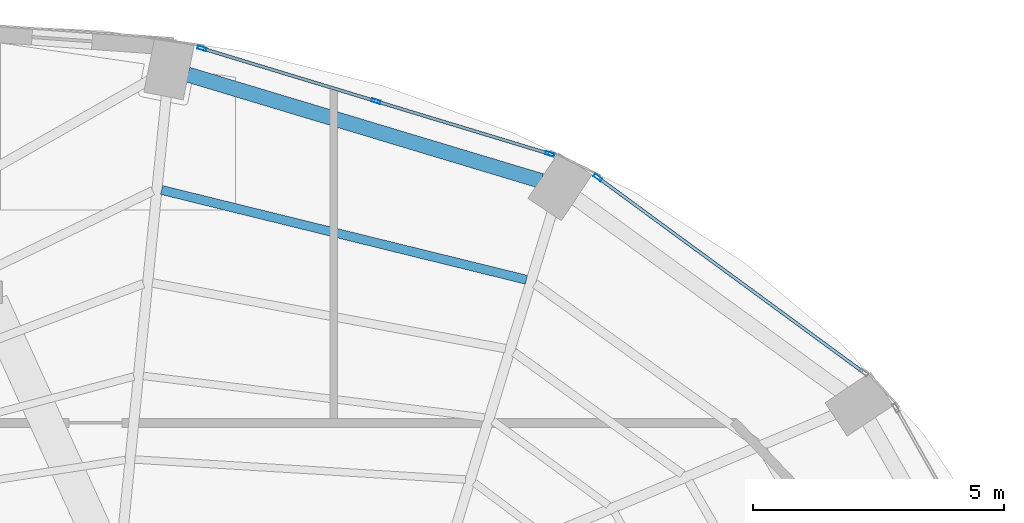
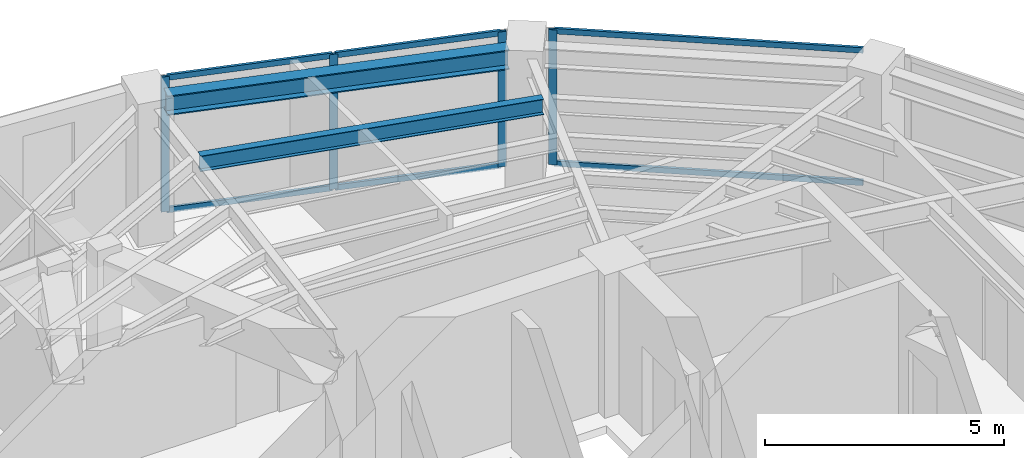
# One storey, part 17 of 23: 10 members, 2 beams, 2 elements without a shape of their own.
"""IFC4 building model written with IfcOpenShell, lengths in metres."""

from ifc_helpers import new_model, si_unit, direction, frame, origin, origin_2d, place, context, subcontext, project, spatial, hollow_rectangle, i_section, extrude, material, layer, layer_set, material_profile, profile_set, type_object, element, aggregate, save


model = new_model("IFC4")

# Units and contexts
model_context = context("Model", 3, precision=1e-05, world=origin(), true_north=direction((0.0, 1.0)))
body_context = subcontext(model_context, "Body", "Model", "MODEL_VIEW")
ifc_project = project(units=[si_unit("LENGTHUNIT", "METRE"), si_unit("AREAUNIT", "SQUARE_METRE"), si_unit("VOLUMEUNIT", "CUBIC_METRE"), si_unit("PLANEANGLEUNIT", "RADIAN"), si_unit("MASSUNIT", "GRAM", prefix="KILO")], contexts=[model_context])

# Site, building, storey
site_placement = place(None, origin())
site = spatial("IfcSite", under=ifc_project, at=site_placement, CompositionType="ELEMENT")
building_placement = place(site_placement, origin())
building = spatial("IfcBuilding", under=site, at=building_placement, Name="Lazwardi Medical Tower", CompositionType="ELEMENT")
storey_placement = place(building_placement, frame((0.0, 0.0, 205.77587890625)))
storey = spatial("IfcBuildingStorey", under=building, at=storey_placement, Name="L53", CompositionType="ELEMENT", Elevation=205.77587890625)

# Beams
ifc_material_1 = material(Name="Steel S355", Category="steel")
ifc_material_profile_1 = material_profile(ifc_material_1, i_section(OverallWidth=0.300048828125, OverallDepth=0.5, WebThickness=0.014404296875, FlangeThickness=0.028076171875, at=origin_2d()), Name="HEB 500")
ifc_profile_set_1 = profile_set([ifc_material_profile_1], Name="Steel S355")
beam_type_1 = type_object("IfcBeamType", Name="BM-RB-Z4", PredefinedType="BEAM", material=ifc_profile_set_1)
beam_1_placement = place(storey_placement, frame((47.626953125, 43.56640625, 3.1982421875), z_axis=(-0.957544311906, 0.288286126506, 0.0), x_axis=(-0.288286126506, -0.957544311906, 0.0)))
element("IfcBeam", 1, at=beam_1_placement, inside=storey, type_object=beam_type_1, Name="Ring beam RB-05 B07 L53", PredefinedType="BEAM", context=body_context, shape_type="SweptSolid", body=[
    extrude(i_section(OverallWidth=0.300048828125, OverallDepth=0.5, WebThickness=0.014404296875, FlangeThickness=0.028076171875, at=origin_2d()), origin(), (0.0, 0.0, 1.0), 7.3515625),
])
ifc_material_profile_2 = material_profile(ifc_material_1, i_section(OverallWidth=0.179931640625, OverallDepth=0.39990234375, WebThickness=0.008544921875, FlangeThickness=0.013427734375, at=origin_2d()), Name="IPE 400")
ifc_profile_set_2 = profile_set([ifc_material_profile_2], Name="Steel S355")
beam_type_2 = type_object("IfcBeamType", Name="BM-SJ-01", PredefinedType="JOIST", material=ifc_profile_set_2)
beam_2_placement = place(storey_placement, frame((47.334228515625, 41.59912109375, 3.248046875), z_axis=(-0.971041669317, 0.238910184904, 0.0), x_axis=(-0.238910184904, -0.971041669317, 0.0)))
element("IfcBeam", 2, at=beam_2_placement, inside=storey, type_object=beam_type_2, Name="Secondary joist SJ-01 R1 B07 L53", PredefinedType="JOIST", context=body_context, shape_type="SweptSolid", body=[
    extrude(i_section(OverallWidth=0.179931640625, OverallDepth=0.39990234375, WebThickness=0.008544921875, FlangeThickness=0.013427734375, at=origin_2d()), origin(), (0.0, 0.0, 1.0), 7.482421875),
])

# Curtain wall, member
ifc_material_2 = material(Name="Anodised bronze aluminium and solar control glazing", Category="aluminium")
ifc_layer = layer(ifc_material_2, 0.18994140625)
ifc_layer_set = layer_set([ifc_layer], Name="Anodised bronze aluminium and solar control glazing")
curtain_wall_type = type_object("IfcCurtainWallType", Name="CW-SYS-04", PredefinedType="NOTDEFINED", material=ifc_layer_set)
curtain_wall_1_placement = place(storey_placement, origin())
curtain_wall_1 = element("IfcCurtainWall", 3, at=curtain_wall_1_placement, inside=storey, type_object=curtain_wall_type, Name="L53 Unitised bronze curtain wall CW-04", PredefinedType="NOTDEFINED")
ifc_material_3 = material(Name="Anodised bronze aluminium", Category="aluminium")
ifc_material_profile_3 = material_profile(ifc_material_3, hollow_rectangle(XDim=0.06494140625, YDim=0.179931640625, WallThickness=0.00390625, at=origin_2d()), Name="ALU-MULLION 180x65x4")
ifc_profile_set_3 = profile_set([ifc_material_profile_3], Name="Anodised bronze aluminium")
member_type_1 = type_object("IfcMemberType", Name="CW-MUL-03", PredefinedType="MULLION", material=ifc_profile_set_3)
member_1_placement = place(storey_placement, frame((48.75537109375, 43.634765625, 0.0), z_axis=(0.0, 0.0, 1.0), x_axis=(-0.591268230971, -0.806474971121, 0.0)))
member_1 = element("IfcMember", 4, at=member_1_placement, type_object=member_type_1, Name="CW-04 mullion 2", PredefinedType="MULLION", context=body_context, shape_type="SweptSolid", body=[
    extrude(hollow_rectangle(XDim=0.06494140625, YDim=0.179931640625, WallThickness=0.00390625, at=origin_2d()), origin(), (0.0, 0.0, 1.0), 3.4482421875),
])

# Curtain wall, members
curtain_wall_2_placement = place(storey_placement, origin())
curtain_wall_2 = element("IfcCurtainWall", 5, at=curtain_wall_2_placement, inside=storey, type_object=curtain_wall_type, Name="L53 Unitised bronze curtain wall CW-04", PredefinedType="NOTDEFINED")
member_2_placement = place(storey_placement, frame((47.7998046875, 44.103515625, 0.0), z_axis=(0.0, 0.0, 1.0), x_axis=(-0.290581889515, -0.956850126972, 0.0)))
member_2 = element("IfcMember", 6, at=member_2_placement, type_object=member_type_1, Name="CW-04 mullion 1", PredefinedType="MULLION", context=body_context, shape_type="SweptSolid", body=[
    extrude(hollow_rectangle(XDim=0.06494140625, YDim=0.179931640625, WallThickness=0.00390625, at=origin_2d()), origin(), (0.0, 0.0, 1.0), 3.4482421875),
])
member_3_placement = place(storey_placement, frame((44.33642578125, 45.1552734375, 0.0), z_axis=(0.0, 0.0, 1.0), x_axis=(-0.290581889515, -0.956850126972, 0.0)))
member_3 = element("IfcMember", 7, at=member_3_placement, type_object=member_type_1, Name="CW-04 mullion 2", PredefinedType="MULLION", context=body_context, shape_type="SweptSolid", body=[
    extrude(hollow_rectangle(XDim=0.06494140625, YDim=0.179931640625, WallThickness=0.00390625, at=origin_2d()), origin(), (0.0, 0.0, 1.0), 3.4482421875),
])
member_4_placement = place(storey_placement, frame((40.873046875, 46.20703125, 0.0), z_axis=(0.0, 0.0, 1.0), x_axis=(-0.290581889515, -0.956850126972, 0.0)))
member_4 = element("IfcMember", 8, at=member_4_placement, type_object=member_type_1, Name="CW-04 mullion 3", PredefinedType="MULLION", context=body_context, shape_type="SweptSolid", body=[
    extrude(hollow_rectangle(XDim=0.06494140625, YDim=0.179931640625, WallThickness=0.00390625, at=origin_2d()), origin(), (0.0, 0.0, 1.0), 3.4482421875),
])

# Member
ifc_material_profile_4 = material_profile(ifc_material_3, hollow_rectangle(XDim=0.06494140625, YDim=0.139892578125, WallThickness=0.00341796875, at=origin_2d()), Name="ALU-TRANSOM 140x65x3.5")
ifc_profile_set_4 = profile_set([ifc_material_profile_4], Name="Anodised bronze aluminium")
member_type_2 = type_object("IfcMemberType", Name="CW-TRN-03", PredefinedType="USERDEFINED", material=ifc_profile_set_4)
member_5_placement = place(storey_placement, frame((54.02587890625, 39.770751953125, 0.03271484375), z_axis=(-0.806471831148, 0.591272513791, 0.0), x_axis=(-0.591272513791, -0.806471831148, 0.0)))
member_5 = element("IfcMember", 9, at=member_5_placement, type_object=member_type_2, Name="CW-04 transom 1.1", ObjectType="TRANSOM", PredefinedType="USERDEFINED", context=body_context, shape_type="SweptSolid", body=[
    extrude(hollow_rectangle(XDim=0.06494140625, YDim=0.139892578125, WallThickness=0.00341796875, at=origin_2d()), origin(), (0.0, 0.0, 1.0), 6.5029296875),
])

member_6_placement = place(storey_placement, frame((54.02587890625, 39.770751953125, 3.41552734375), z_axis=(-0.806471831148, 0.591272513791, 0.0), x_axis=(-0.591272513791, -0.806471831148, 0.0)))
member_6 = element("IfcMember", 10, at=member_6_placement, type_object=member_type_2, Name="CW-04 transom 1.2", ObjectType="TRANSOM", PredefinedType="USERDEFINED", context=body_context, shape_type="SweptSolid", body=[
    extrude(hollow_rectangle(XDim=0.06494140625, YDim=0.139892578125, WallThickness=0.00341796875, at=origin_2d()), origin(), (0.0, 0.0, 1.0), 6.5029296875),
])

aggregate(curtain_wall_1, [member_1, member_5, member_6])

member_7_placement = place(storey_placement, frame((47.7685546875, 44.113037109375, 0.03271484375), z_axis=(-0.956862505902, 0.290541124109, 0.0), x_axis=(-0.290541124109, -0.956862505902, 0.0)))
member_7 = element("IfcMember", 11, at=member_7_placement, type_object=member_type_2, Name="CW-04 transom 1.1", ObjectType="TRANSOM", PredefinedType="USERDEFINED", context=body_context, shape_type="SweptSolid", body=[
    extrude(hollow_rectangle(XDim=0.06494140625, YDim=0.139892578125, WallThickness=0.00341796875, at=origin_2d()), origin(), (0.0, 0.0, 1.0), 3.554443359375),
])

member_8_placement = place(storey_placement, frame((47.7685546875, 44.113037109375, 3.41552734375), z_axis=(-0.956862505902, 0.290541124109, 0.0), x_axis=(-0.290541124109, -0.956862505902, 0.0)))
member_8 = element("IfcMember", 12, at=member_8_placement, type_object=member_type_2, Name="CW-04 transom 1.2", ObjectType="TRANSOM", PredefinedType="USERDEFINED", context=body_context, shape_type="SweptSolid", body=[
    extrude(hollow_rectangle(XDim=0.06494140625, YDim=0.139892578125, WallThickness=0.00341796875, at=origin_2d()), origin(), (0.0, 0.0, 1.0), 3.554443359375),
])

member_9_placement = place(storey_placement, frame((44.305419921875, 45.164794921875, 0.03271484375), z_axis=(-0.956862505902, 0.290541124109, 0.0), x_axis=(-0.290541124109, -0.956862505902, 0.0)))
member_9 = element("IfcMember", 13, at=member_9_placement, type_object=member_type_2, Name="CW-04 transom 2.1", ObjectType="TRANSOM", PredefinedType="USERDEFINED", context=body_context, shape_type="SweptSolid", body=[
    extrude(hollow_rectangle(XDim=0.06494140625, YDim=0.139892578125, WallThickness=0.00341796875, at=origin_2d()), origin(), (0.0, 0.0, 1.0), 3.554443359375),
])

member_10_placement = place(storey_placement, frame((44.305419921875, 45.164794921875, 3.41552734375), z_axis=(-0.956862505902, 0.290541124109, 0.0), x_axis=(-0.290541124109, -0.956862505902, 0.0)))
member_10 = element("IfcMember", 14, at=member_10_placement, type_object=member_type_2, Name="CW-04 transom 2.2", ObjectType="TRANSOM", PredefinedType="USERDEFINED", context=body_context, shape_type="SweptSolid", body=[
    extrude(hollow_rectangle(XDim=0.06494140625, YDim=0.139892578125, WallThickness=0.00341796875, at=origin_2d()), origin(), (0.0, 0.0, 1.0), 3.554443359375),
])

aggregate(curtain_wall_2, [member_2, member_3, member_4, member_7, member_8, member_9, member_10])

save(model, "model.ifc")
